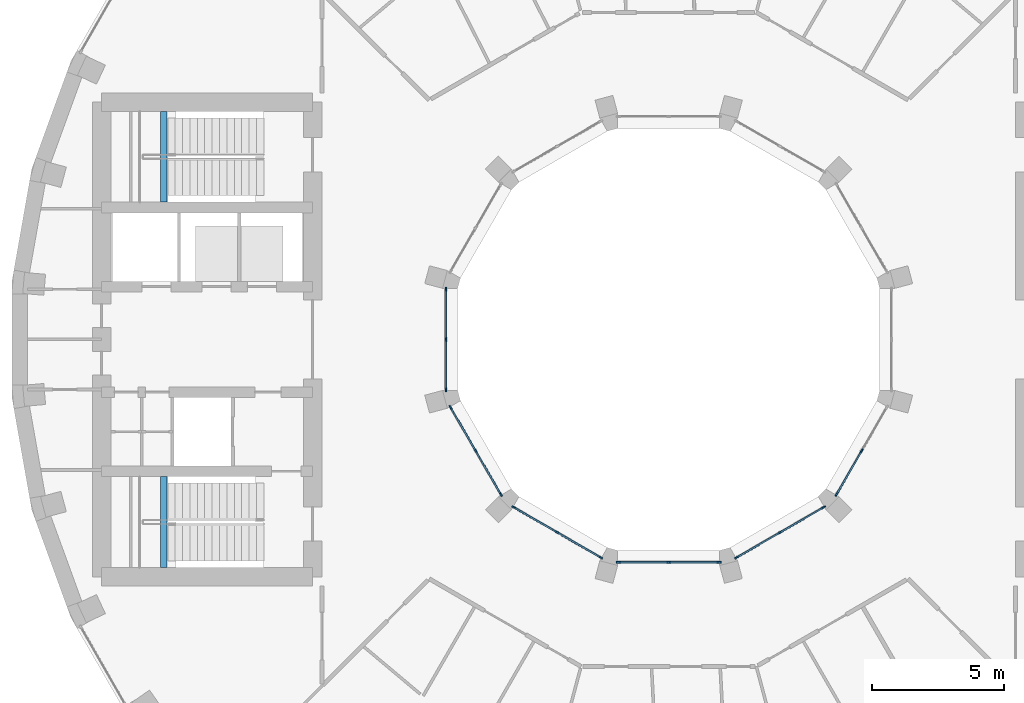
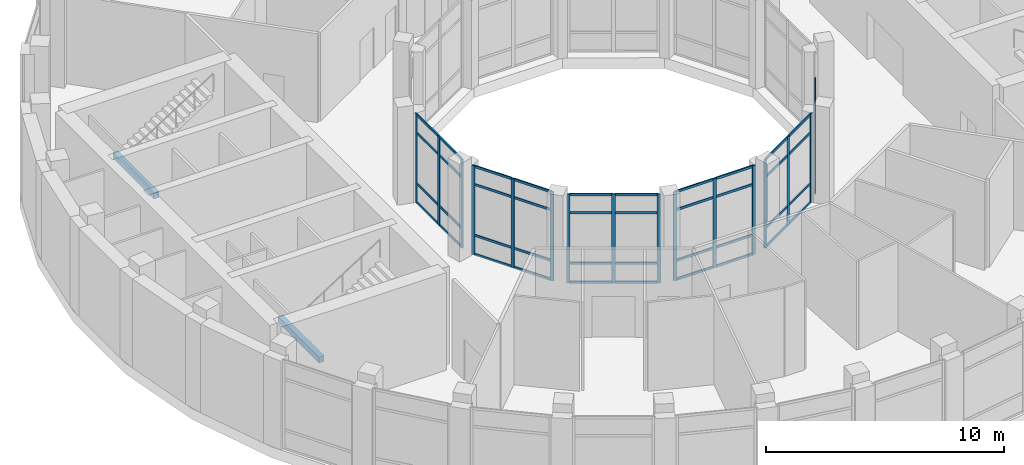
# One storey, part 3 of 18: 61 members, 2 beams, 6 elements without a shape of their own.
"""IFC4 building model written with IfcOpenShell, lengths in metres."""

from ifc_helpers import new_model, si_unit, direction, frame, origin, origin_2d, place, context, subcontext, project, spatial, rectangle, extrude, material, layer, layer_set, material_profile, profile_set, type_object, element, aggregate, save


model = new_model("IFC4")

# Units and contexts
model_context = context("Model", 3, precision=1e-05, world=origin(), true_north=direction((0.0, 1.0)))
body_context = subcontext(model_context, "Body", "Model", "MODEL_VIEW")
ifc_project = project(units=[si_unit("LENGTHUNIT", "METRE"), si_unit("AREAUNIT", "SQUARE_METRE"), si_unit("VOLUMEUNIT", "CUBIC_METRE"), si_unit("PLANEANGLEUNIT", "RADIAN"), si_unit("MASSUNIT", "GRAM", prefix="KILO")], contexts=[model_context])

# Site, building, storey
site_placement = place(None, origin())
site = spatial("IfcSite", under=ifc_project, at=site_placement, CompositionType="ELEMENT")
building_placement = place(site_placement, origin())
building = spatial("IfcBuilding", under=site, at=building_placement, Name="Saqina Gate Tower", CompositionType="ELEMENT")
storey_placement = place(building_placement, frame((0.0, 0.0, 155.800048828125)))
storey = spatial("IfcBuildingStorey", under=building, at=storey_placement, Name="L44", CompositionType="ELEMENT", Elevation=155.800048828125)

# Curtain wall, members
ifc_material_1 = material(Name="Aluminium glazing", Category="aluminium")
ifc_layer = layer(ifc_material_1, 0.159912109375)
ifc_layer_set = layer_set([ifc_layer], Name="CWT-3")
curtain_wall_type = type_object("IfcCurtainWallType", Name="CWT-3", PredefinedType="NOTDEFINED", material=ifc_layer_set)
curtain_wall_1_placement = place(storey_placement, origin())
curtain_wall_1 = element("IfcCurtainWall", 1, at=curtain_wall_1_placement, inside=storey, type_object=curtain_wall_type, Name="Sky lounge well glazing L44 facet 6", PredefinedType="NOTDEFINED")
ifc_material_2 = material(Name="Aluminium", Category="aluminium")
ifc_material_profile_1 = material_profile(ifc_material_2, rectangle(XDim=0.06005859375, YDim=0.159912109375, at=origin_2d()), Name="Aluminium 60x160")
ifc_profile_set_1 = profile_set([ifc_material_profile_1], Name="Aluminium")
member_type_1 = type_object("IfcMemberType", Name="CWT-3M", PredefinedType="MULLION", material=ifc_profile_set_1)
member_1_placement = place(storey_placement, frame((-8.449951171875, 1.90478515625, 0.0), z_axis=(0.0, 0.0, 1.0), x_axis=(1.0, 0.0, 0.0)))
member_1 = element("IfcMember", 2, at=member_1_placement, type_object=member_type_1, Name="CW3-06 mullion 1", PredefinedType="MULLION", context=body_context, shape_type="SweptSolid", body=[
    extrude(rectangle(XDim=0.06005859375, YDim=0.159912109375, at=origin_2d()), origin(), (0.0, 0.0, 1.0), 4.550048828125),
])
member_2_placement = place(storey_placement, frame((-8.449951171875, 0.0, 0.0), z_axis=(0.0, 0.0, 1.0), x_axis=(1.0, 0.0, 0.0)))
member_2 = element("IfcMember", 3, at=member_2_placement, type_object=member_type_1, Name="CW3-06 mullion 2", PredefinedType="MULLION", context=body_context, shape_type="SweptSolid", body=[
    extrude(rectangle(XDim=0.06005859375, YDim=0.159912109375, at=origin_2d()), origin(), (0.0, 0.0, 1.0), 4.550048828125),
])
member_3_placement = place(storey_placement, frame((-8.449951171875, -1.90478515625, 0.0), z_axis=(0.0, 0.0, 1.0), x_axis=(1.0, 0.0, 0.0)))
member_3 = element("IfcMember", 4, at=member_3_placement, type_object=member_type_1, Name="CW3-06 mullion 3", PredefinedType="MULLION", context=body_context, shape_type="SweptSolid", body=[
    extrude(rectangle(XDim=0.06005859375, YDim=0.159912109375, at=origin_2d()), origin(), (0.0, 0.0, 1.0), 4.550048828125),
])

curtain_wall_2_placement = place(storey_placement, origin())
curtain_wall_2 = element("IfcCurtainWall", 5, at=curtain_wall_2_placement, inside=storey, type_object=curtain_wall_type, Name="Sky lounge well glazing L44 facet 7", PredefinedType="NOTDEFINED")
member_4_placement = place(storey_placement, frame((-8.2705078125, -2.5751953125, 0.0), z_axis=(0.0, 0.0, 1.0), x_axis=(0.866017760546, 0.500013238243, 0.0)))
member_4 = element("IfcMember", 6, at=member_4_placement, type_object=member_type_1, Name="CW3-07 mullion 1", PredefinedType="MULLION", context=body_context, shape_type="SweptSolid", body=[
    extrude(rectangle(XDim=0.06005859375, YDim=0.159912109375, at=origin_2d()), origin(), (0.0, 0.0, 1.0), 4.550048828125),
])
member_5_placement = place(storey_placement, frame((-7.31787109375, -4.22509765625, 0.0), z_axis=(0.0, 0.0, 1.0), x_axis=(0.866017760546, 0.500013238243, 0.0)))
member_5 = element("IfcMember", 7, at=member_5_placement, type_object=member_type_1, Name="CW3-07 mullion 2", PredefinedType="MULLION", context=body_context, shape_type="SweptSolid", body=[
    extrude(rectangle(XDim=0.06005859375, YDim=0.159912109375, at=origin_2d()), origin(), (0.0, 0.0, 1.0), 4.550048828125),
])
member_6_placement = place(storey_placement, frame((-6.365478515625, -5.874755859375, 0.0), z_axis=(0.0, 0.0, 1.0), x_axis=(0.866017760546, 0.500013238243, 0.0)))
member_6 = element("IfcMember", 8, at=member_6_placement, type_object=member_type_1, Name="CW3-07 mullion 3", PredefinedType="MULLION", context=body_context, shape_type="SweptSolid", body=[
    extrude(rectangle(XDim=0.06005859375, YDim=0.159912109375, at=origin_2d()), origin(), (0.0, 0.0, 1.0), 4.550048828125),
])

curtain_wall_3_placement = place(storey_placement, origin())
curtain_wall_3 = element("IfcCurtainWall", 9, at=curtain_wall_3_placement, inside=storey, type_object=curtain_wall_type, Name="Sky lounge well glazing L44 facet 8", PredefinedType="NOTDEFINED")
member_7_placement = place(storey_placement, frame((-5.874755859375, -6.365478515625, 0.0), z_axis=(0.0, 0.0, 1.0), x_axis=(0.500013238243, 0.866017760546, 0.0)))
member_7 = element("IfcMember", 10, at=member_7_placement, type_object=member_type_1, Name="CW3-08 mullion 1", PredefinedType="MULLION", context=body_context, shape_type="SweptSolid", body=[
    extrude(rectangle(XDim=0.06005859375, YDim=0.159912109375, at=origin_2d()), origin(), (0.0, 0.0, 1.0), 4.550048828125),
])
member_8_placement = place(storey_placement, frame((-4.22509765625, -7.31787109375, 0.0), z_axis=(0.0, 0.0, 1.0), x_axis=(0.500013238243, 0.866017760546, 0.0)))
member_8 = element("IfcMember", 11, at=member_8_placement, type_object=member_type_1, Name="CW3-08 mullion 2", PredefinedType="MULLION", context=body_context, shape_type="SweptSolid", body=[
    extrude(rectangle(XDim=0.06005859375, YDim=0.159912109375, at=origin_2d()), origin(), (0.0, 0.0, 1.0), 4.550048828125),
])
member_9_placement = place(storey_placement, frame((-2.5751953125, -8.2705078125, 0.0), z_axis=(0.0, 0.0, 1.0), x_axis=(0.500013238243, 0.866017760546, 0.0)))
member_9 = element("IfcMember", 12, at=member_9_placement, type_object=member_type_1, Name="CW3-08 mullion 3", PredefinedType="MULLION", context=body_context, shape_type="SweptSolid", body=[
    extrude(rectangle(XDim=0.06005859375, YDim=0.159912109375, at=origin_2d()), origin(), (0.0, 0.0, 1.0), 4.550048828125),
])

curtain_wall_4_placement = place(storey_placement, origin())
curtain_wall_4 = element("IfcCurtainWall", 13, at=curtain_wall_4_placement, inside=storey, type_object=curtain_wall_type, Name="Sky lounge well glazing L44 facet 9", PredefinedType="NOTDEFINED")
member_10_placement = place(storey_placement, frame((-1.90478515625, -8.449951171875, 0.0), z_axis=(0.0, 0.0, 1.0), x_axis=(0.0, 1.0, 0.0)))
member_10 = element("IfcMember", 14, at=member_10_placement, type_object=member_type_1, Name="CW3-09 mullion 1", PredefinedType="MULLION", context=body_context, shape_type="SweptSolid", body=[
    extrude(rectangle(XDim=0.06005859375, YDim=0.159912109375, at=origin_2d()), origin(), (0.0, 0.0, 1.0), 4.550048828125),
])
member_11_placement = place(storey_placement, frame((0.0, -8.449951171875, 0.0), z_axis=(0.0, 0.0, 1.0), x_axis=(0.0, 1.0, 0.0)))
member_11 = element("IfcMember", 15, at=member_11_placement, type_object=member_type_1, Name="CW3-09 mullion 2", PredefinedType="MULLION", context=body_context, shape_type="SweptSolid", body=[
    extrude(rectangle(XDim=0.06005859375, YDim=0.159912109375, at=origin_2d()), origin(), (0.0, 0.0, 1.0), 4.550048828125),
])
member_12_placement = place(storey_placement, frame((1.90478515625, -8.449951171875, 0.0), z_axis=(0.0, 0.0, 1.0), x_axis=(0.0, 1.0, 0.0)))
member_12 = element("IfcMember", 16, at=member_12_placement, type_object=member_type_1, Name="CW3-09 mullion 3", PredefinedType="MULLION", context=body_context, shape_type="SweptSolid", body=[
    extrude(rectangle(XDim=0.06005859375, YDim=0.159912109375, at=origin_2d()), origin(), (0.0, 0.0, 1.0), 4.550048828125),
])

curtain_wall_5_placement = place(storey_placement, origin())
curtain_wall_5 = element("IfcCurtainWall", 17, at=curtain_wall_5_placement, inside=storey, type_object=curtain_wall_type, Name="Sky lounge well glazing L44 facet 10", PredefinedType="NOTDEFINED")
member_13_placement = place(storey_placement, frame((2.5751953125, -8.2705078125, 0.0), z_axis=(0.0, 0.0, 1.0), x_axis=(-0.500013238243, 0.866017760546, 0.0)))
member_13 = element("IfcMember", 18, at=member_13_placement, type_object=member_type_1, Name="CW3-10 mullion 1", PredefinedType="MULLION", context=body_context, shape_type="SweptSolid", body=[
    extrude(rectangle(XDim=0.06005859375, YDim=0.159912109375, at=origin_2d()), origin(), (0.0, 0.0, 1.0), 4.550048828125),
])
member_14_placement = place(storey_placement, frame((4.22509765625, -7.31787109375, 0.0), z_axis=(0.0, 0.0, 1.0), x_axis=(-0.500013238243, 0.866017760546, 0.0)))
member_14 = element("IfcMember", 19, at=member_14_placement, type_object=member_type_1, Name="CW3-10 mullion 2", PredefinedType="MULLION", context=body_context, shape_type="SweptSolid", body=[
    extrude(rectangle(XDim=0.06005859375, YDim=0.159912109375, at=origin_2d()), origin(), (0.0, 0.0, 1.0), 4.550048828125),
])
member_15_placement = place(storey_placement, frame((5.874755859375, -6.365478515625, 0.0), z_axis=(0.0, 0.0, 1.0), x_axis=(-0.500013238243, 0.866017760546, 0.0)))
member_15 = element("IfcMember", 20, at=member_15_placement, type_object=member_type_1, Name="CW3-10 mullion 3", PredefinedType="MULLION", context=body_context, shape_type="SweptSolid", body=[
    extrude(rectangle(XDim=0.06005859375, YDim=0.159912109375, at=origin_2d()), origin(), (0.0, 0.0, 1.0), 4.550048828125),
])

curtain_wall_6_placement = place(storey_placement, origin())
curtain_wall_6 = element("IfcCurtainWall", 21, at=curtain_wall_6_placement, inside=storey, type_object=curtain_wall_type, Name="Sky lounge well glazing L44 facet 11", PredefinedType="NOTDEFINED")
member_16_placement = place(storey_placement, frame((6.365478515625, -5.874755859375, 0.0), z_axis=(0.0, 0.0, 1.0), x_axis=(-0.866017760546, 0.500013238243, 0.0)))
member_16 = element("IfcMember", 22, at=member_16_placement, type_object=member_type_1, Name="CW3-11 mullion 1", PredefinedType="MULLION", context=body_context, shape_type="SweptSolid", body=[
    extrude(rectangle(XDim=0.06005859375, YDim=0.159912109375, at=origin_2d()), origin(), (0.0, 0.0, 1.0), 4.550048828125),
])
member_17_placement = place(storey_placement, frame((7.31787109375, -4.22509765625, 0.0), z_axis=(0.0, 0.0, 1.0), x_axis=(-0.866017760546, 0.500013238243, 0.0)))
member_17 = element("IfcMember", 23, at=member_17_placement, type_object=member_type_1, Name="CW3-11 mullion 2", PredefinedType="MULLION", context=body_context, shape_type="SweptSolid", body=[
    extrude(rectangle(XDim=0.06005859375, YDim=0.159912109375, at=origin_2d()), origin(), (0.0, 0.0, 1.0), 4.550048828125),
])

# Member
ifc_material_3 = material(Name="Aluminium", Category="aluminium")
ifc_material_profile_2 = material_profile(ifc_material_3, rectangle(XDim=0.06005859375, YDim=0.1201171875, at=origin_2d()), Name="Aluminium 60x120")
ifc_profile_set_2 = profile_set([ifc_material_profile_2], Name="Aluminium")
member_type_2 = type_object("IfcMemberType", Name="CWT-3T", PredefinedType="USERDEFINED", material=ifc_profile_set_2)
member_18_placement = place(storey_placement, frame((-8.449951171875, 1.875, 0.030029296875), z_axis=(0.0, -1.0, 0.0), x_axis=(1.0, 0.0, 0.0)))
member_18 = element("IfcMember", 24, at=member_18_placement, type_object=member_type_2, Name="CW3-06 transom 1.1", ObjectType="TRANSOM", PredefinedType="USERDEFINED", context=body_context, shape_type="SweptSolid", body=[
    extrude(rectangle(XDim=0.06005859375, YDim=0.1201171875, at=origin_2d()), origin(), (0.0, 0.0, 1.0), 1.844970703125),
])

member_19_placement = place(storey_placement, frame((-8.449951171875, 1.875, 1.0), z_axis=(0.0, -1.0, 0.0), x_axis=(1.0, 0.0, 0.0)))
member_19 = element("IfcMember", 25, at=member_19_placement, type_object=member_type_2, Name="CW3-06 transom 1.2", ObjectType="TRANSOM", PredefinedType="USERDEFINED", context=body_context, shape_type="SweptSolid", body=[
    extrude(rectangle(XDim=0.06005859375, YDim=0.1201171875, at=origin_2d()), origin(), (0.0, 0.0, 1.0), 1.844970703125),
])

member_20_placement = place(storey_placement, frame((-8.449951171875, 1.875, 3.599853515625), z_axis=(0.0, -1.0, 0.0), x_axis=(1.0, 0.0, 0.0)))
member_20 = element("IfcMember", 26, at=member_20_placement, type_object=member_type_2, Name="CW3-06 transom 1.3", ObjectType="TRANSOM", PredefinedType="USERDEFINED", context=body_context, shape_type="SweptSolid", body=[
    extrude(rectangle(XDim=0.06005859375, YDim=0.1201171875, at=origin_2d()), origin(), (0.0, 0.0, 1.0), 1.844970703125),
])

member_21_placement = place(storey_placement, frame((-8.449951171875, 1.875, 4.52001953125), z_axis=(0.0, -1.0, 0.0), x_axis=(1.0, 0.0, 0.0)))
member_21 = element("IfcMember", 27, at=member_21_placement, type_object=member_type_2, Name="CW3-06 transom 1.4", ObjectType="TRANSOM", PredefinedType="USERDEFINED", context=body_context, shape_type="SweptSolid", body=[
    extrude(rectangle(XDim=0.06005859375, YDim=0.1201171875, at=origin_2d()), origin(), (0.0, 0.0, 1.0), 1.844970703125),
])

member_22_placement = place(storey_placement, frame((-8.449951171875, -0.030029296875, 0.030029296875), z_axis=(0.0, -1.0, 0.0), x_axis=(1.0, 0.0, 0.0)))
member_22 = element("IfcMember", 28, at=member_22_placement, type_object=member_type_2, Name="CW3-06 transom 2.1", ObjectType="TRANSOM", PredefinedType="USERDEFINED", context=body_context, shape_type="SweptSolid", body=[
    extrude(rectangle(XDim=0.06005859375, YDim=0.1201171875, at=origin_2d()), origin(), (0.0, 0.0, 1.0), 1.844970703125),
])

member_23_placement = place(storey_placement, frame((-8.449951171875, -0.030029296875, 1.0), z_axis=(0.0, -1.0, 0.0), x_axis=(1.0, 0.0, 0.0)))
member_23 = element("IfcMember", 29, at=member_23_placement, type_object=member_type_2, Name="CW3-06 transom 2.2", ObjectType="TRANSOM", PredefinedType="USERDEFINED", context=body_context, shape_type="SweptSolid", body=[
    extrude(rectangle(XDim=0.06005859375, YDim=0.1201171875, at=origin_2d()), origin(), (0.0, 0.0, 1.0), 1.844970703125),
])

member_24_placement = place(storey_placement, frame((-8.449951171875, -0.030029296875, 3.599853515625), z_axis=(0.0, -1.0, 0.0), x_axis=(1.0, 0.0, 0.0)))
member_24 = element("IfcMember", 30, at=member_24_placement, type_object=member_type_2, Name="CW3-06 transom 2.3", ObjectType="TRANSOM", PredefinedType="USERDEFINED", context=body_context, shape_type="SweptSolid", body=[
    extrude(rectangle(XDim=0.06005859375, YDim=0.1201171875, at=origin_2d()), origin(), (0.0, 0.0, 1.0), 1.844970703125),
])

member_25_placement = place(storey_placement, frame((-8.449951171875, -0.030029296875, 4.52001953125), z_axis=(0.0, -1.0, 0.0), x_axis=(1.0, 0.0, 0.0)))
member_25 = element("IfcMember", 31, at=member_25_placement, type_object=member_type_2, Name="CW3-06 transom 2.4", ObjectType="TRANSOM", PredefinedType="USERDEFINED", context=body_context, shape_type="SweptSolid", body=[
    extrude(rectangle(XDim=0.06005859375, YDim=0.1201171875, at=origin_2d()), origin(), (0.0, 0.0, 1.0), 1.844970703125),
])

aggregate(curtain_wall_1, [member_1, member_2, member_3, member_18, member_19, member_20, member_21, member_22, member_23, member_24, member_25])

member_26_placement = place(storey_placement, frame((-8.25537109375, -2.601318359375, 0.030029296875), z_axis=(0.499982117899, -0.866035727774, 0.0), x_axis=(0.866035727774, 0.499982117899, 0.0)))
member_26 = element("IfcMember", 32, at=member_26_placement, type_object=member_type_2, Name="CW3-07 transom 1.1", ObjectType="TRANSOM", PredefinedType="USERDEFINED", context=body_context, shape_type="SweptSolid", body=[
    extrude(rectangle(XDim=0.06005859375, YDim=0.1201171875, at=origin_2d()), origin(), (0.0, 0.0, 1.0), 1.8447265625),
])

member_27_placement = place(storey_placement, frame((-8.25537109375, -2.601318359375, 1.0), z_axis=(0.499982117899, -0.866035727774, 0.0), x_axis=(0.866035727774, 0.499982117899, 0.0)))
member_27 = element("IfcMember", 33, at=member_27_placement, type_object=member_type_2, Name="CW3-07 transom 1.2", ObjectType="TRANSOM", PredefinedType="USERDEFINED", context=body_context, shape_type="SweptSolid", body=[
    extrude(rectangle(XDim=0.06005859375, YDim=0.1201171875, at=origin_2d()), origin(), (0.0, 0.0, 1.0), 1.8447265625),
])

member_28_placement = place(storey_placement, frame((-8.25537109375, -2.601318359375, 3.599853515625), z_axis=(0.499982117899, -0.866035727774, 0.0), x_axis=(0.866035727774, 0.499982117899, 0.0)))
member_28 = element("IfcMember", 34, at=member_28_placement, type_object=member_type_2, Name="CW3-07 transom 1.3", ObjectType="TRANSOM", PredefinedType="USERDEFINED", context=body_context, shape_type="SweptSolid", body=[
    extrude(rectangle(XDim=0.06005859375, YDim=0.1201171875, at=origin_2d()), origin(), (0.0, 0.0, 1.0), 1.8447265625),
])

member_29_placement = place(storey_placement, frame((-8.25537109375, -2.601318359375, 4.52001953125), z_axis=(0.499982117899, -0.866035727774, 0.0), x_axis=(0.866035727774, 0.499982117899, 0.0)))
member_29 = element("IfcMember", 35, at=member_29_placement, type_object=member_type_2, Name="CW3-07 transom 1.4", ObjectType="TRANSOM", PredefinedType="USERDEFINED", context=body_context, shape_type="SweptSolid", body=[
    extrude(rectangle(XDim=0.06005859375, YDim=0.1201171875, at=origin_2d()), origin(), (0.0, 0.0, 1.0), 1.8447265625),
])

member_30_placement = place(storey_placement, frame((-7.302978515625, -4.2509765625, 0.030029296875), z_axis=(0.500081365731, -0.865978422161, 0.0), x_axis=(0.865978422161, 0.500081365731, 0.0)))
member_30 = element("IfcMember", 36, at=member_30_placement, type_object=member_type_2, Name="CW3-07 transom 2.1", ObjectType="TRANSOM", PredefinedType="USERDEFINED", context=body_context, shape_type="SweptSolid", body=[
    extrude(rectangle(XDim=0.06005859375, YDim=0.1201171875, at=origin_2d()), origin(), (0.0, 0.0, 1.0), 1.844970703125),
])

member_31_placement = place(storey_placement, frame((-7.302978515625, -4.2509765625, 1.0), z_axis=(0.500081365731, -0.865978422161, 0.0), x_axis=(0.865978422161, 0.500081365731, 0.0)))
member_31 = element("IfcMember", 37, at=member_31_placement, type_object=member_type_2, Name="CW3-07 transom 2.2", ObjectType="TRANSOM", PredefinedType="USERDEFINED", context=body_context, shape_type="SweptSolid", body=[
    extrude(rectangle(XDim=0.06005859375, YDim=0.1201171875, at=origin_2d()), origin(), (0.0, 0.0, 1.0), 1.844970703125),
])

member_32_placement = place(storey_placement, frame((-7.302978515625, -4.2509765625, 3.599853515625), z_axis=(0.500081365731, -0.865978422161, 0.0), x_axis=(0.865978422161, 0.500081365731, 0.0)))
member_32 = element("IfcMember", 38, at=member_32_placement, type_object=member_type_2, Name="CW3-07 transom 2.3", ObjectType="TRANSOM", PredefinedType="USERDEFINED", context=body_context, shape_type="SweptSolid", body=[
    extrude(rectangle(XDim=0.06005859375, YDim=0.1201171875, at=origin_2d()), origin(), (0.0, 0.0, 1.0), 1.844970703125),
])

member_33_placement = place(storey_placement, frame((-7.302978515625, -4.2509765625, 4.52001953125), z_axis=(0.500081365731, -0.865978422161, 0.0), x_axis=(0.865978422161, 0.500081365731, 0.0)))
member_33 = element("IfcMember", 39, at=member_33_placement, type_object=member_type_2, Name="CW3-07 transom 2.4", ObjectType="TRANSOM", PredefinedType="USERDEFINED", context=body_context, shape_type="SweptSolid", body=[
    extrude(rectangle(XDim=0.06005859375, YDim=0.1201171875, at=origin_2d()), origin(), (0.0, 0.0, 1.0), 1.844970703125),
])

aggregate(curtain_wall_2, [member_4, member_5, member_6, member_26, member_27, member_28, member_29, member_30, member_31, member_32, member_33])

member_34_placement = place(storey_placement, frame((-5.8486328125, -6.38037109375, 0.030029296875), z_axis=(0.865978422161, -0.500081365731, 0.0), x_axis=(0.500081365731, 0.865978422161, 0.0)))
member_34 = element("IfcMember", 40, at=member_34_placement, type_object=member_type_2, Name="CW3-08 transom 1.1", ObjectType="TRANSOM", PredefinedType="USERDEFINED", context=body_context, shape_type="SweptSolid", body=[
    extrude(rectangle(XDim=0.06005859375, YDim=0.1201171875, at=origin_2d()), origin(), (0.0, 0.0, 1.0), 1.844970703125),
])

member_35_placement = place(storey_placement, frame((-5.8486328125, -6.38037109375, 1.0), z_axis=(0.865978422161, -0.500081365731, 0.0), x_axis=(0.500081365731, 0.865978422161, 0.0)))
member_35 = element("IfcMember", 41, at=member_35_placement, type_object=member_type_2, Name="CW3-08 transom 1.2", ObjectType="TRANSOM", PredefinedType="USERDEFINED", context=body_context, shape_type="SweptSolid", body=[
    extrude(rectangle(XDim=0.06005859375, YDim=0.1201171875, at=origin_2d()), origin(), (0.0, 0.0, 1.0), 1.844970703125),
])

member_36_placement = place(storey_placement, frame((-5.8486328125, -6.38037109375, 3.599853515625), z_axis=(0.865978422161, -0.500081365731, 0.0), x_axis=(0.500081365731, 0.865978422161, 0.0)))
member_36 = element("IfcMember", 42, at=member_36_placement, type_object=member_type_2, Name="CW3-08 transom 1.3", ObjectType="TRANSOM", PredefinedType="USERDEFINED", context=body_context, shape_type="SweptSolid", body=[
    extrude(rectangle(XDim=0.06005859375, YDim=0.1201171875, at=origin_2d()), origin(), (0.0, 0.0, 1.0), 1.844970703125),
])

member_37_placement = place(storey_placement, frame((-5.8486328125, -6.38037109375, 4.52001953125), z_axis=(0.865978422161, -0.500081365731, 0.0), x_axis=(0.500081365731, 0.865978422161, 0.0)))
member_37 = element("IfcMember", 43, at=member_37_placement, type_object=member_type_2, Name="CW3-08 transom 1.4", ObjectType="TRANSOM", PredefinedType="USERDEFINED", context=body_context, shape_type="SweptSolid", body=[
    extrude(rectangle(XDim=0.06005859375, YDim=0.1201171875, at=origin_2d()), origin(), (0.0, 0.0, 1.0), 1.844970703125),
])

member_38_placement = place(storey_placement, frame((-4.198974609375, -7.3330078125, 0.030029296875), z_axis=(0.866035727774, -0.499982117899, 0.0), x_axis=(0.499982117899, 0.866035727774, 0.0)))
member_38 = element("IfcMember", 44, at=member_38_placement, type_object=member_type_2, Name="CW3-08 transom 2.1", ObjectType="TRANSOM", PredefinedType="USERDEFINED", context=body_context, shape_type="SweptSolid", body=[
    extrude(rectangle(XDim=0.06005859375, YDim=0.1201171875, at=origin_2d()), origin(), (0.0, 0.0, 1.0), 1.8447265625),
])

member_39_placement = place(storey_placement, frame((-4.198974609375, -7.3330078125, 1.0), z_axis=(0.866035727774, -0.499982117899, 0.0), x_axis=(0.499982117899, 0.866035727774, 0.0)))
member_39 = element("IfcMember", 45, at=member_39_placement, type_object=member_type_2, Name="CW3-08 transom 2.2", ObjectType="TRANSOM", PredefinedType="USERDEFINED", context=body_context, shape_type="SweptSolid", body=[
    extrude(rectangle(XDim=0.06005859375, YDim=0.1201171875, at=origin_2d()), origin(), (0.0, 0.0, 1.0), 1.8447265625),
])

member_40_placement = place(storey_placement, frame((-4.198974609375, -7.3330078125, 3.599853515625), z_axis=(0.866035727774, -0.499982117899, 0.0), x_axis=(0.499982117899, 0.866035727774, 0.0)))
member_40 = element("IfcMember", 46, at=member_40_placement, type_object=member_type_2, Name="CW3-08 transom 2.3", ObjectType="TRANSOM", PredefinedType="USERDEFINED", context=body_context, shape_type="SweptSolid", body=[
    extrude(rectangle(XDim=0.06005859375, YDim=0.1201171875, at=origin_2d()), origin(), (0.0, 0.0, 1.0), 1.8447265625),
])

member_41_placement = place(storey_placement, frame((-4.198974609375, -7.3330078125, 4.52001953125), z_axis=(0.866035727774, -0.499982117899, 0.0), x_axis=(0.499982117899, 0.866035727774, 0.0)))
member_41 = element("IfcMember", 47, at=member_41_placement, type_object=member_type_2, Name="CW3-08 transom 2.4", ObjectType="TRANSOM", PredefinedType="USERDEFINED", context=body_context, shape_type="SweptSolid", body=[
    extrude(rectangle(XDim=0.06005859375, YDim=0.1201171875, at=origin_2d()), origin(), (0.0, 0.0, 1.0), 1.8447265625),
])

aggregate(curtain_wall_3, [member_7, member_8, member_9, member_34, member_35, member_36, member_37, member_38, member_39, member_40, member_41])

member_42_placement = place(storey_placement, frame((-1.875, -8.449951171875, 0.030029296875), z_axis=(1.0, 0.0, 0.0), x_axis=(0.0, 1.0, 0.0)))
member_42 = element("IfcMember", 48, at=member_42_placement, type_object=member_type_2, Name="CW3-09 transom 1.1", ObjectType="TRANSOM", PredefinedType="USERDEFINED", context=body_context, shape_type="SweptSolid", body=[
    extrude(rectangle(XDim=0.06005859375, YDim=0.1201171875, at=origin_2d()), origin(), (0.0, 0.0, 1.0), 1.844970703125),
])

member_43_placement = place(storey_placement, frame((-1.875, -8.449951171875, 1.0), z_axis=(1.0, 0.0, 0.0), x_axis=(0.0, 1.0, 0.0)))
member_43 = element("IfcMember", 49, at=member_43_placement, type_object=member_type_2, Name="CW3-09 transom 1.2", ObjectType="TRANSOM", PredefinedType="USERDEFINED", context=body_context, shape_type="SweptSolid", body=[
    extrude(rectangle(XDim=0.06005859375, YDim=0.1201171875, at=origin_2d()), origin(), (0.0, 0.0, 1.0), 1.844970703125),
])

member_44_placement = place(storey_placement, frame((-1.875, -8.449951171875, 3.599853515625), z_axis=(1.0, 0.0, 0.0), x_axis=(0.0, 1.0, 0.0)))
member_44 = element("IfcMember", 50, at=member_44_placement, type_object=member_type_2, Name="CW3-09 transom 1.3", ObjectType="TRANSOM", PredefinedType="USERDEFINED", context=body_context, shape_type="SweptSolid", body=[
    extrude(rectangle(XDim=0.06005859375, YDim=0.1201171875, at=origin_2d()), origin(), (0.0, 0.0, 1.0), 1.844970703125),
])

member_45_placement = place(storey_placement, frame((-1.875, -8.449951171875, 4.52001953125), z_axis=(1.0, 0.0, 0.0), x_axis=(0.0, 1.0, 0.0)))
member_45 = element("IfcMember", 51, at=member_45_placement, type_object=member_type_2, Name="CW3-09 transom 1.4", ObjectType="TRANSOM", PredefinedType="USERDEFINED", context=body_context, shape_type="SweptSolid", body=[
    extrude(rectangle(XDim=0.06005859375, YDim=0.1201171875, at=origin_2d()), origin(), (0.0, 0.0, 1.0), 1.844970703125),
])

member_46_placement = place(storey_placement, frame((0.030029296875, -8.449951171875, 0.030029296875), z_axis=(1.0, 0.0, 0.0), x_axis=(0.0, 1.0, 0.0)))
member_46 = element("IfcMember", 52, at=member_46_placement, type_object=member_type_2, Name="CW3-09 transom 2.1", ObjectType="TRANSOM", PredefinedType="USERDEFINED", context=body_context, shape_type="SweptSolid", body=[
    extrude(rectangle(XDim=0.06005859375, YDim=0.1201171875, at=origin_2d()), origin(), (0.0, 0.0, 1.0), 1.844970703125),
])

member_47_placement = place(storey_placement, frame((0.030029296875, -8.449951171875, 1.0), z_axis=(1.0, 0.0, 0.0), x_axis=(0.0, 1.0, 0.0)))
member_47 = element("IfcMember", 53, at=member_47_placement, type_object=member_type_2, Name="CW3-09 transom 2.2", ObjectType="TRANSOM", PredefinedType="USERDEFINED", context=body_context, shape_type="SweptSolid", body=[
    extrude(rectangle(XDim=0.06005859375, YDim=0.1201171875, at=origin_2d()), origin(), (0.0, 0.0, 1.0), 1.844970703125),
])

member_48_placement = place(storey_placement, frame((0.030029296875, -8.449951171875, 3.599853515625), z_axis=(1.0, 0.0, 0.0), x_axis=(0.0, 1.0, 0.0)))
member_48 = element("IfcMember", 54, at=member_48_placement, type_object=member_type_2, Name="CW3-09 transom 2.3", ObjectType="TRANSOM", PredefinedType="USERDEFINED", context=body_context, shape_type="SweptSolid", body=[
    extrude(rectangle(XDim=0.06005859375, YDim=0.1201171875, at=origin_2d()), origin(), (0.0, 0.0, 1.0), 1.844970703125),
])

member_49_placement = place(storey_placement, frame((0.030029296875, -8.449951171875, 4.52001953125), z_axis=(1.0, 0.0, 0.0), x_axis=(0.0, 1.0, 0.0)))
member_49 = element("IfcMember", 55, at=member_49_placement, type_object=member_type_2, Name="CW3-09 transom 2.4", ObjectType="TRANSOM", PredefinedType="USERDEFINED", context=body_context, shape_type="SweptSolid", body=[
    extrude(rectangle(XDim=0.06005859375, YDim=0.1201171875, at=origin_2d()), origin(), (0.0, 0.0, 1.0), 1.844970703125),
])

aggregate(curtain_wall_4, [member_10, member_11, member_12, member_42, member_43, member_44, member_45, member_46, member_47, member_48, member_49])

member_50_placement = place(storey_placement, frame((2.601318359375, -8.25537109375, 0.030029296875), z_axis=(0.866035727774, 0.499982117899, 0.0), x_axis=(-0.499982117899, 0.866035727774, 0.0)))
member_50 = element("IfcMember", 56, at=member_50_placement, type_object=member_type_2, Name="CW3-10 transom 1.1", ObjectType="TRANSOM", PredefinedType="USERDEFINED", context=body_context, shape_type="SweptSolid", body=[
    extrude(rectangle(XDim=0.06005859375, YDim=0.1201171875, at=origin_2d()), origin(), (0.0, 0.0, 1.0), 1.8447265625),
])

member_51_placement = place(storey_placement, frame((2.601318359375, -8.25537109375, 1.0), z_axis=(0.866035727774, 0.499982117899, 0.0), x_axis=(-0.499982117899, 0.866035727774, 0.0)))
member_51 = element("IfcMember", 57, at=member_51_placement, type_object=member_type_2, Name="CW3-10 transom 1.2", ObjectType="TRANSOM", PredefinedType="USERDEFINED", context=body_context, shape_type="SweptSolid", body=[
    extrude(rectangle(XDim=0.06005859375, YDim=0.1201171875, at=origin_2d()), origin(), (0.0, 0.0, 1.0), 1.8447265625),
])

member_52_placement = place(storey_placement, frame((2.601318359375, -8.25537109375, 3.599853515625), z_axis=(0.866035727774, 0.499982117899, 0.0), x_axis=(-0.499982117899, 0.866035727774, 0.0)))
member_52 = element("IfcMember", 58, at=member_52_placement, type_object=member_type_2, Name="CW3-10 transom 1.3", ObjectType="TRANSOM", PredefinedType="USERDEFINED", context=body_context, shape_type="SweptSolid", body=[
    extrude(rectangle(XDim=0.06005859375, YDim=0.1201171875, at=origin_2d()), origin(), (0.0, 0.0, 1.0), 1.8447265625),
])

member_53_placement = place(storey_placement, frame((2.601318359375, -8.25537109375, 4.52001953125), z_axis=(0.866035727774, 0.499982117899, 0.0), x_axis=(-0.499982117899, 0.866035727774, 0.0)))
member_53 = element("IfcMember", 59, at=member_53_placement, type_object=member_type_2, Name="CW3-10 transom 1.4", ObjectType="TRANSOM", PredefinedType="USERDEFINED", context=body_context, shape_type="SweptSolid", body=[
    extrude(rectangle(XDim=0.06005859375, YDim=0.1201171875, at=origin_2d()), origin(), (0.0, 0.0, 1.0), 1.8447265625),
])

member_54_placement = place(storey_placement, frame((4.2509765625, -7.302978515625, 0.030029296875), z_axis=(0.865978422161, 0.500081365731, 0.0), x_axis=(-0.500081365731, 0.865978422161, 0.0)))
member_54 = element("IfcMember", 60, at=member_54_placement, type_object=member_type_2, Name="CW3-10 transom 2.1", ObjectType="TRANSOM", PredefinedType="USERDEFINED", context=body_context, shape_type="SweptSolid", body=[
    extrude(rectangle(XDim=0.06005859375, YDim=0.1201171875, at=origin_2d()), origin(), (0.0, 0.0, 1.0), 1.844970703125),
])

member_55_placement = place(storey_placement, frame((4.2509765625, -7.302978515625, 1.0), z_axis=(0.865978422161, 0.500081365731, 0.0), x_axis=(-0.500081365731, 0.865978422161, 0.0)))
member_55 = element("IfcMember", 61, at=member_55_placement, type_object=member_type_2, Name="CW3-10 transom 2.2", ObjectType="TRANSOM", PredefinedType="USERDEFINED", context=body_context, shape_type="SweptSolid", body=[
    extrude(rectangle(XDim=0.06005859375, YDim=0.1201171875, at=origin_2d()), origin(), (0.0, 0.0, 1.0), 1.844970703125),
])

member_56_placement = place(storey_placement, frame((4.2509765625, -7.302978515625, 3.599853515625), z_axis=(0.865978422161, 0.500081365731, 0.0), x_axis=(-0.500081365731, 0.865978422161, 0.0)))
member_56 = element("IfcMember", 62, at=member_56_placement, type_object=member_type_2, Name="CW3-10 transom 2.3", ObjectType="TRANSOM", PredefinedType="USERDEFINED", context=body_context, shape_type="SweptSolid", body=[
    extrude(rectangle(XDim=0.06005859375, YDim=0.1201171875, at=origin_2d()), origin(), (0.0, 0.0, 1.0), 1.844970703125),
])

member_57_placement = place(storey_placement, frame((4.2509765625, -7.302978515625, 4.52001953125), z_axis=(0.865978422161, 0.500081365731, 0.0), x_axis=(-0.500081365731, 0.865978422161, 0.0)))
member_57 = element("IfcMember", 63, at=member_57_placement, type_object=member_type_2, Name="CW3-10 transom 2.4", ObjectType="TRANSOM", PredefinedType="USERDEFINED", context=body_context, shape_type="SweptSolid", body=[
    extrude(rectangle(XDim=0.06005859375, YDim=0.1201171875, at=origin_2d()), origin(), (0.0, 0.0, 1.0), 1.844970703125),
])

aggregate(curtain_wall_5, [member_13, member_14, member_15, member_50, member_51, member_52, member_53, member_54, member_55, member_56, member_57])

member_58_placement = place(storey_placement, frame((6.38037109375, -5.8486328125, 0.030029296875), z_axis=(0.500081365731, 0.865978422161, 0.0), x_axis=(-0.865978422161, 0.500081365731, 0.0)))
member_58 = element("IfcMember", 64, at=member_58_placement, type_object=member_type_2, Name="CW3-11 transom 1.1", ObjectType="TRANSOM", PredefinedType="USERDEFINED", context=body_context, shape_type="SweptSolid", body=[
    extrude(rectangle(XDim=0.06005859375, YDim=0.1201171875, at=origin_2d()), origin(), (0.0, 0.0, 1.0), 1.844970703125),
])

member_59_placement = place(storey_placement, frame((6.38037109375, -5.8486328125, 1.0), z_axis=(0.500081365731, 0.865978422161, 0.0), x_axis=(-0.865978422161, 0.500081365731, 0.0)))
member_59 = element("IfcMember", 65, at=member_59_placement, type_object=member_type_2, Name="CW3-11 transom 1.2", ObjectType="TRANSOM", PredefinedType="USERDEFINED", context=body_context, shape_type="SweptSolid", body=[
    extrude(rectangle(XDim=0.06005859375, YDim=0.1201171875, at=origin_2d()), origin(), (0.0, 0.0, 1.0), 1.844970703125),
])

member_60_placement = place(storey_placement, frame((6.38037109375, -5.8486328125, 3.599853515625), z_axis=(0.500081365731, 0.865978422161, 0.0), x_axis=(-0.865978422161, 0.500081365731, 0.0)))
member_60 = element("IfcMember", 66, at=member_60_placement, type_object=member_type_2, Name="CW3-11 transom 1.3", ObjectType="TRANSOM", PredefinedType="USERDEFINED", context=body_context, shape_type="SweptSolid", body=[
    extrude(rectangle(XDim=0.06005859375, YDim=0.1201171875, at=origin_2d()), origin(), (0.0, 0.0, 1.0), 1.844970703125),
])

member_61_placement = place(storey_placement, frame((6.38037109375, -5.8486328125, 4.52001953125), z_axis=(0.500081365731, 0.865978422161, 0.0), x_axis=(-0.865978422161, 0.500081365731, 0.0)))
member_61 = element("IfcMember", 67, at=member_61_placement, type_object=member_type_2, Name="CW3-11 transom 1.4", ObjectType="TRANSOM", PredefinedType="USERDEFINED", context=body_context, shape_type="SweptSolid", body=[
    extrude(rectangle(XDim=0.06005859375, YDim=0.1201171875, at=origin_2d()), origin(), (0.0, 0.0, 1.0), 1.844970703125),
])

aggregate(curtain_wall_6, [member_16, member_17, member_58, member_59, member_60, member_61])

# Beams
ifc_material_4 = material(Name="Concrete C40/50", Category="concrete")
ifc_material_profile_3 = material_profile(ifc_material_4, rectangle(XDim=0.25, YDim=0.300048828125, at=origin_2d()), Name="STAIR LANDING BEAM")
ifc_profile_set_3 = profile_set([ifc_material_profile_3], Name="Concrete C40/50")
beam_type = type_object("IfcBeamType", Name="STAIR LANDING BEAM", PredefinedType="BEAM", material=ifc_profile_set_3)
for number, where, z_axis, x_axis, name in (
    (68, (-19.139892578125, 5.199951171875, 2.099853515625), (0.0, 1.0, 0.0), (-1.0, 0.0, 0.0), "EXIT STAIR 3 LANDING BEAM"),
    (69, (-19.139892578125, -8.64990234375, 2.099853515625), (0.0, 1.0, 0.0), (-1.0, 0.0, 0.0), "EXIT STAIR 4 LANDING BEAM"),
):
    element("IfcBeam", number, at=place(storey_placement, frame(where, z_axis=z_axis, x_axis=x_axis)), inside=storey, type_object=beam_type, Name=name, PredefinedType="BEAM", context=body_context, shape_type="SweptSolid", body=[
        extrude(rectangle(XDim=0.25, YDim=0.300048828125, at=origin_2d()), origin(), (0.0, 0.0, 1.0), 3.449951171875),
    ])

save(model, "model.ifc")
